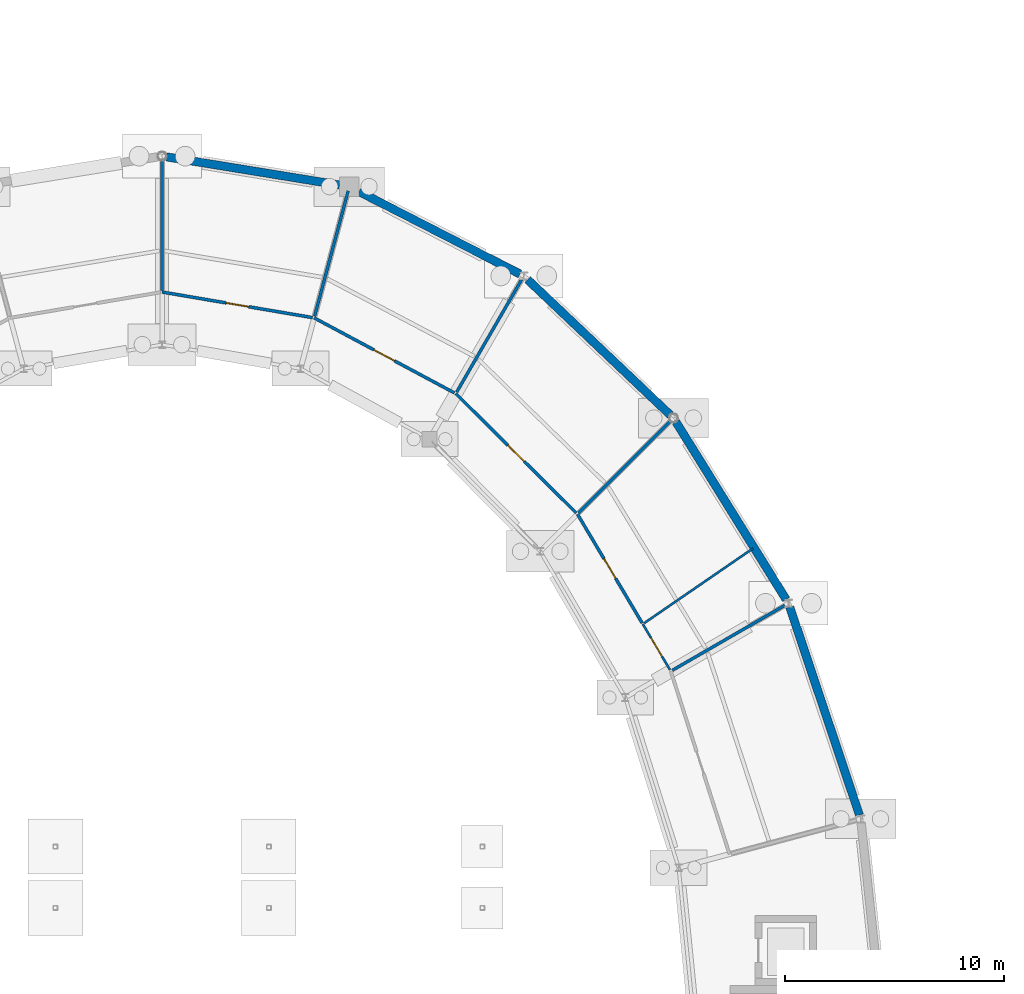
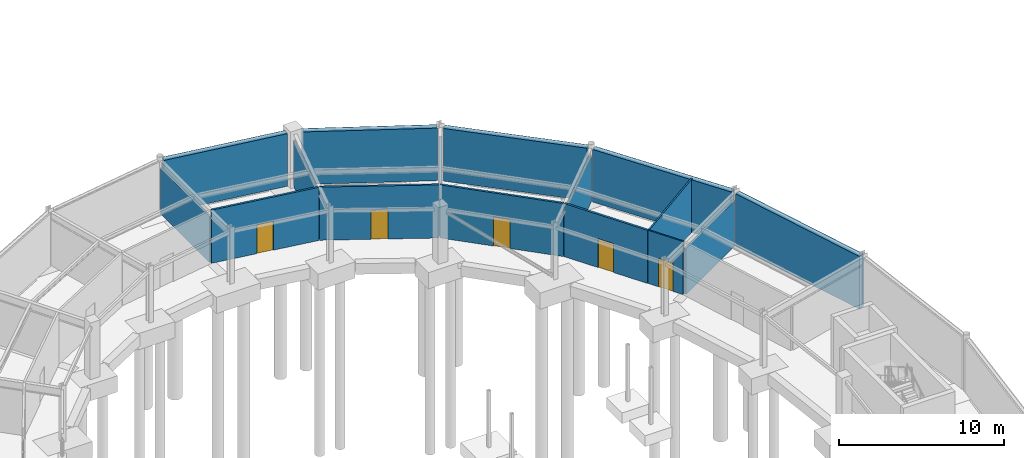
# One storey, part 47 of 58: 16 walls, 5 doors, 5 openings.
"""IFC4 building model written with IfcOpenShell, lengths in metres."""

from ifc_helpers import new_model, si_unit, direction, frame, frame_2d, origin, place, context, subcontext, project, spatial, rectangle, extrude, material, layer, layer_set, type_object, element, fill, save


model = new_model("IFC4")

# Units and contexts
model_context = context("Model", 3, precision=1e-05, world=origin(), true_north=direction((0.0, 1.0)))
body_context = subcontext(model_context, "Body", "Model", "MODEL_VIEW")
ifc_project = project(units=[si_unit("LENGTHUNIT", "METRE"), si_unit("AREAUNIT", "SQUARE_METRE"), si_unit("VOLUMEUNIT", "CUBIC_METRE"), si_unit("PLANEANGLEUNIT", "RADIAN"), si_unit("MASSUNIT", "GRAM", prefix="KILO")], contexts=[model_context])

# Site, building, storey
site_placement = place(None, origin())
site = spatial("IfcSite", under=ifc_project, at=site_placement, CompositionType="ELEMENT")
building_placement = place(site_placement, origin())
building = spatial("IfcBuilding", under=site, at=building_placement, Name="Karori Crest Natural Sciences Institute", CompositionType="ELEMENT")
storey_placement = place(building_placement, frame((0.0, 0.0, -4.199951171875)))
storey = spatial("IfcBuildingStorey", under=building, at=storey_placement, Name="B1", CompositionType="ELEMENT", Elevation=-4.199951171875)

# Wall
ifc_material_1 = material(Name="Laboratory acoustic drywall partition")
ifc_layer_1 = layer(ifc_material_1, 0.139892578125, Name="Laboratory acoustic drywall partition")
ifc_layer_set_1 = layer_set([ifc_layer_1], Name="Laboratory acoustic drywall partition")
wall_type_1 = type_object("IfcWallType", Name="IWT-07", PredefinedType="PARTITIONING", material=ifc_layer_set_1)
wall_1_placement = place(storey_placement, frame((89.6787109375, 67.239990234375, 0.0), z_axis=(0.0, 0.0, 1.0), x_axis=(0.866015384634, 0.500017353277, 0.0)))
element("IfcWall", 1, at=wall_1_placement, inside=storey, type_object=wall_type_1, Name="Partition wall IW-1147", PredefinedType="PARTITIONING", context=body_context, shape_type="SweptSolid", body=[
    extrude(rectangle(XDim=5.924072265625, YDim=0.139892578125, at=frame_2d((2.9619140625, 0.0))), origin(), (0.0, 0.0, 1.0), 3.391845703125),
])

# Wall, opening, door
wall_2_placement = place(storey_placement, frame((88.30517578125, 69.39453125, 0.0), z_axis=(0.0, 0.0, 1.0), x_axis=(-0.510896676259, 0.859642126811, 0.0)))
wall_2 = element("IfcWall", 2, at=wall_2_placement, inside=storey, type_object=wall_type_1, Name="Partition wall IW-1150", PredefinedType="PARTITIONING", context=body_context, shape_type="SweptSolid", body=[
    extrude(rectangle(XDim=5.783203125, YDim=0.139892578125, at=frame_2d((2.8916015625, 0.0))), origin(), (0.0, 0.0, 1.0), 3.93994140625),
])
opening_1_placement = place(wall_2_placement, frame((2.366455078125, 0.0, 0.0)))
opening_1 = element("IfcOpeningElement", 3, at=opening_1_placement, cuts=wall_2, Name="Opening ID-0339", PredefinedType="OPENING", context=body_context, shape_type="SweptSolid", body=[
    extrude(rectangle(XDim=1.050048828125, YDim=2.14990234375, at=frame_2d((0.52490234375, 1.074951171875))), frame((0.0, 0.080078125, 0.0), z_axis=(0.0, -1.0, 0.0), x_axis=(1.0, 0.0, 0.0)), (0.0, 0.0, 1.0), 0.159912109375),
])
ifc_material_2 = material(Name="Stainless steel 316 and fire-rated timber", Category="steel")
door_type_1 = type_object("IfcDoorType", Name="IDT-03", OperationType="NOTDEFINED", PredefinedType="DOOR", material=ifc_material_2)
door_1_placement = place(opening_1_placement, origin())
door_1 = element("IfcDoor", 4, at=door_1_placement, inside=storey, type_object=door_type_1, Name="Janitor and Consumables Store door ID-0339", OperationType="SINGLE_SWING_LEFT", OverallHeight=2.14990234375, OverallWidth=1.050048828125, PredefinedType="DOOR", context=body_context, shape_type="SweptSolid", body=[
    extrude(rectangle(XDim=1.050048828125, YDim=2.14990234375, at=frame_2d((0.52490234375, 1.074951171875))), frame((0.0, 0.02490234375, 0.0), z_axis=(0.0, -1.0, 0.0), x_axis=(1.0, 0.0, 0.0)), (0.0, 0.0, 1.0), 0.050048828125),
])
fill(opening_1, door_1)

# Wall
wall_3_placement = place(storey_placement, frame((85.406982421875, 74.422607421875, 0.0), z_axis=(0.0, 0.0, 1.0), x_axis=(0.707127390836, 0.707086170936, 0.0)))
element("IfcWall", 5, at=wall_3_placement, inside=storey, type_object=wall_type_1, Name="Partition wall IW-1151", PredefinedType="PARTITIONING", context=body_context, shape_type="SweptSolid", body=[
    extrude(rectangle(XDim=5.9228515625, YDim=0.139892578125, at=frame_2d((2.96142578125, 0.0))), origin(), (0.0, 0.0, 1.0), 3.391845703125),
])

# Wall, opening, door
wall_4_placement = place(storey_placement, frame((85.29931640625, 74.41650390625, 0.0), z_axis=(0.0, 0.0, 1.0), x_axis=(-0.710410596589, 0.703787456732, 0.0)))
wall_4 = element("IfcWall", 6, at=wall_4_placement, inside=storey, type_object=wall_type_1, Name="Partition wall IW-1152", PredefinedType="PARTITIONING", context=body_context, shape_type="SweptSolid", body=[
    extrude(rectangle(XDim=7.740966796875, YDim=0.139892578125, at=frame_2d((3.87060546875, 0.0))), origin(), (0.0, 0.0, 1.0), 3.93994140625),
])
opening_2_placement = place(wall_4_placement, frame((3.345458984375, 0.0, 0.0)))
opening_2 = element("IfcOpeningElement", 7, at=opening_2_placement, cuts=wall_4, Name="Opening ID-0340", PredefinedType="OPENING", context=body_context, shape_type="SweptSolid", body=[
    extrude(rectangle(XDim=1.050048828125, YDim=2.14990234375, at=frame_2d((0.52490234375, 1.074951171875))), frame((0.0, 0.080078125, 0.0), z_axis=(0.0, -1.0, 0.0), x_axis=(1.0, 0.0, 0.0)), (0.0, 0.0, 1.0), 0.159912109375),
])
door_2_placement = place(opening_2_placement, origin())
door_2 = element("IfcDoor", 8, at=door_2_placement, inside=storey, type_object=door_type_1, Name="Geological Core Specimen Archive door ID-0340", OperationType="SINGLE_SWING_RIGHT", OverallHeight=2.14990234375, OverallWidth=1.050048828125, PredefinedType="DOOR", context=body_context, shape_type="SweptSolid", body=[
    extrude(rectangle(XDim=1.050048828125, YDim=2.14990234375, at=frame_2d((0.52490234375, 1.074951171875))), frame((0.0, 0.02490234375, 0.0), z_axis=(0.0, -1.0, 0.0), x_axis=(1.0, 0.0, 0.0)), (0.0, 0.0, 1.0), 0.050048828125),
])
fill(opening_2, door_2)

# Wall
wall_5_placement = place(storey_placement, frame((79.840087890625, 79.933837890625, 0.0), z_axis=(0.0, 0.0, 1.0), x_axis=(0.500000789788, 0.8660249478, 0.0)))
element("IfcWall", 9, at=wall_5_placement, inside=storey, type_object=wall_type_1, Name="Partition wall IW-1153", PredefinedType="PARTITIONING", context=body_context, shape_type="SweptSolid", body=[
    extrude(rectangle(XDim=5.92236328125, YDim=0.139892578125, at=frame_2d((2.961181640625, 0.0))), origin(), (0.0, 0.0, 1.0), 3.31298828125),
])

# Wall, opening, door
wall_6_placement = place(storey_placement, frame((79.736572265625, 79.8984375, 0.0), z_axis=(0.0, 0.0, 1.0), x_axis=(-0.881826283139, 0.471574391125, 0.0)))
wall_6 = element("IfcWall", 10, at=wall_6_placement, inside=storey, type_object=wall_type_1, Name="Partition wall IW-1154", PredefinedType="PARTITIONING", context=body_context, shape_type="SweptSolid", body=[
    extrude(rectangle(XDim=7.2578125, YDim=0.139892578125, at=frame_2d((3.62890625, 0.0))), origin(), (0.0, 0.0, 1.0), 3.93994140625),
])
opening_3_placement = place(wall_6_placement, frame((3.10400390625, 0.0, 0.0)))
opening_3 = element("IfcOpeningElement", 11, at=opening_3_placement, cuts=wall_6, Name="Opening ID-0341", PredefinedType="OPENING", context=body_context, shape_type="SweptSolid", body=[
    extrude(rectangle(XDim=1.050048828125, YDim=2.14990234375, at=frame_2d((0.52490234375, 1.074951171875))), frame((0.0, 0.080078125, 0.0), z_axis=(0.0, -1.0, 0.0), x_axis=(1.0, 0.0, 0.0)), (0.0, 0.0, 1.0), 0.159912109375),
])
door_3_placement = place(opening_3_placement, origin())
door_3 = element("IfcDoor", 12, at=door_3_placement, inside=storey, type_object=door_type_1, Name="Specimen Cold Store door ID-0341", OperationType="SINGLE_SWING_LEFT", OverallHeight=2.14990234375, OverallWidth=1.050048828125, PredefinedType="DOOR", context=body_context, shape_type="SweptSolid", body=[
    extrude(rectangle(XDim=1.050048828125, YDim=2.14990234375, at=frame_2d((0.52490234375, 1.074951171875))), frame((0.0, 0.02490234375, 0.0), z_axis=(0.0, -1.0, 0.0), x_axis=(1.0, 0.0, 0.0)), (0.0, 0.0, 1.0), 0.050048828125),
])
fill(opening_3, door_3)

# Wall
wall_7_placement = place(storey_placement, frame((73.357177734375, 83.398193359375, 0.0), z_axis=(0.0, 0.0, 1.0), x_axis=(0.25878346705, 0.965935358697, 0.0)))
element("IfcWall", 13, at=wall_7_placement, inside=storey, type_object=wall_type_1, Name="Partition wall IW-1155", PredefinedType="PARTITIONING", context=body_context, shape_type="SweptSolid", body=[
    extrude(rectangle(XDim=5.923828125, YDim=0.139892578125, at=frame_2d((2.9619140625, 0.0))), origin(), (0.0, 0.0, 1.0), 3.322998046875),
])

# Wall, opening, door
wall_8_placement = place(storey_placement, frame((73.26513671875, 83.3330078125, 0.0), z_axis=(0.0, 0.0, 1.0), x_axis=(-0.985858163623, 0.167581864229, 0.0)))
wall_8 = element("IfcWall", 14, at=wall_8_placement, inside=storey, type_object=wall_type_1, Name="Partition wall IW-1156", PredefinedType="PARTITIONING", context=body_context, shape_type="SweptSolid", body=[
    extrude(rectangle(XDim=6.963623046875, YDim=0.139892578125, at=frame_2d((3.48193359375, 0.0))), origin(), (0.0, 0.0, 1.0), 3.93994140625),
])
opening_4_placement = place(wall_8_placement, frame((2.956787109375, 0.0, 0.0)))
opening_4 = element("IfcOpeningElement", 15, at=opening_4_placement, cuts=wall_8, Name="Opening ID-0342", PredefinedType="OPENING", context=body_context, shape_type="SweptSolid", body=[
    extrude(rectangle(XDim=1.050048828125, YDim=2.14990234375, at=frame_2d((0.52490234375, 1.074951171875))), frame((0.0, 0.080078125, 0.0), z_axis=(0.0, -1.0, 0.0), x_axis=(1.0, 0.0, 0.0)), (0.0, 0.0, 1.0), 0.159912109375),
])
door_4_placement = place(opening_4_placement, origin())
door_4 = element("IfcDoor", 16, at=door_4_placement, inside=storey, type_object=door_type_1, Name="Laboratory Exhaust and Vacuum Plant Room door ID-0342", OperationType="SINGLE_SWING_RIGHT", OverallHeight=2.14990234375, OverallWidth=1.050048828125, PredefinedType="DOOR", context=body_context, shape_type="SweptSolid", body=[
    extrude(rectangle(XDim=1.050048828125, YDim=2.14990234375, at=frame_2d((0.52490234375, 1.074951171875))), frame((0.0, 0.02490234375, 0.0), z_axis=(0.0, -1.0, 0.0), x_axis=(1.0, 0.0, 0.0)), (0.0, 0.0, 1.0), 0.050048828125),
])
fill(opening_4, door_4)

# Wall
wall_9_placement = place(storey_placement, frame((66.39990234375, 84.580078125, 0.0), z_axis=(0.0, 0.0, 1.0), x_axis=(0.0, 1.0, 0.0)))
element("IfcWall", 17, at=wall_9_placement, inside=storey, type_object=wall_type_1, Name="Partition wall IW-1157", PredefinedType="PARTITIONING", context=body_context, shape_type="SweptSolid", body=[
    extrude(rectangle(XDim=5.925537109375, YDim=0.139892578125, at=frame_2d((2.962890625, 0.0))), origin(), (0.0, 0.0, 1.0), 3.391845703125),
])

# Wall, opening, door
ifc_material_3 = material(Name="Washroom moisture-resistant partition")
ifc_layer_2 = layer(ifc_material_3, 0.10009765625, Name="Washroom moisture-resistant partition")
ifc_layer_set_2 = layer_set([ifc_layer_2], Name="Washroom moisture-resistant partition")
wall_type_2 = type_object("IfcWallType", Name="IWT-09", PredefinedType="PARTITIONING", material=ifc_layer_set_2)
wall_10_placement = place(storey_placement, frame((89.57275390625, 67.261962890625, 0.0), z_axis=(0.0, 0.0, 1.0), x_axis=(-0.510928867953, 0.859622994046, 0.0)))
wall_10 = element("IfcWall", 18, at=wall_10_placement, inside=storey, type_object=wall_type_2, Name="Partition wall IW-1148", PredefinedType="PARTITIONING", context=body_context, shape_type="SweptSolid", body=[
    extrude(rectangle(XDim=2.428955078125, YDim=0.10009765625, at=frame_2d((1.21435546875, 0.0))), origin(), (0.0, 0.0, 1.0), 3.93994140625),
])
opening_5_placement = place(wall_10_placement, frame((0.71435546875, 0.0, 0.0)))
opening_5 = element("IfcOpeningElement", 19, at=opening_5_placement, cuts=wall_10, Name="Opening ID-0338", PredefinedType="OPENING", context=body_context, shape_type="SweptSolid", body=[
    extrude(rectangle(XDim=1.0, YDim=2.10009765625, at=frame_2d((0.5, 1.050048828125))), frame((0.0, 0.06005859375, 0.0), z_axis=(0.0, -1.0, 0.0), x_axis=(1.0, 0.0, 0.0)), (0.0, 0.0, 1.0), 0.1201171875),
])
ifc_material_4 = material(Name="Anodised aluminium and acoustic timber", Category="wood")
door_type_2 = type_object("IfcDoorType", Name="IDT-09", OperationType="NOTDEFINED", PredefinedType="DOOR", material=ifc_material_4)
door_5_placement = place(opening_5_placement, origin())
door_5 = element("IfcDoor", 20, at=door_5_placement, inside=storey, type_object=door_type_2, Name="Accessible WC door ID-0338", OperationType="SINGLE_SWING_RIGHT", OverallHeight=2.10009765625, OverallWidth=1.0, PredefinedType="DOOR", context=body_context, shape_type="SweptSolid", body=[
    extrude(rectangle(XDim=1.0, YDim=2.10009765625, at=frame_2d((0.5, 1.050048828125))), frame((0.0, 0.02490234375, 0.0), z_axis=(0.0, -1.0, 0.0), x_axis=(1.0, 0.0, 0.0)), (0.0, 0.0, 1.0), 0.050048828125),
])
fill(opening_5, door_5)

# Walls
wall_11_placement = place(storey_placement, frame((88.397705078125, 69.39501953125, 0.0), z_axis=(0.0, 0.0, 1.0), x_axis=(0.824271584206, 0.566194626847, 0.0)))
element("IfcWall", 21, at=wall_11_placement, inside=storey, type_object=wall_type_2, Name="Partition wall IW-1149", PredefinedType="PARTITIONING", context=body_context, shape_type="SweptSolid", body=[
    extrude(rectangle(XDim=6.015625, YDim=0.10009765625, at=frame_2d((3.0078125, 0.0))), origin(), (0.0, 0.0, 1.0), 3.93994140625),
])
ifc_material_5 = material(Name="Concrete 40 MPa", Category="concrete")
ifc_layer_3 = layer(ifc_material_5, 0.3798828125, Name="Concrete 40 MPa")
ifc_layer_set_3 = layer_set([ifc_layer_3], Name="Concrete 40 MPa")
wall_type_3 = type_object("IfcWallType", Name="WT-08", PredefinedType="USERDEFINED", material=ifc_layer_set_3)
wall_12_placement = place(storey_placement, frame((95.036865234375, 70.126953125, 0.0), z_axis=(0.0, 0.0, 1.0), x_axis=(0.31766112258, -0.948204308787, 0.0)))
element("IfcWall", 22, at=wall_12_placement, inside=storey, type_object=wall_type_3, Name="Exterior wall EW-0007", ObjectType="RETAININGWALL", PredefinedType="USERDEFINED", context=body_context, shape_type="SweptSolid", body=[
    extrude(rectangle(XDim=10.0126953125, YDim=0.3798828125, at=frame_2d((5.00634765625, 0.0))), origin(), (0.0, 0.0, 1.0), 3.89990234375),
])
wall_13_placement = place(storey_placement, frame((89.840576171875, 78.5791015625, 0.0), z_axis=(0.0, 0.0, 1.0), x_axis=(0.527316356641, -0.849669029693, 0.0)))
element("IfcWall", 23, at=wall_13_placement, inside=storey, type_object=wall_type_3, Name="Exterior wall EW-0008", ObjectType="RETAININGWALL", PredefinedType="USERDEFINED", context=body_context, shape_type="SweptSolid", body=[
    extrude(rectangle(XDim=9.539794921875, YDim=0.3798828125, at=frame_2d((4.77001953125, 0.0))), origin(), (0.0, 0.0, 1.0), 3.89990234375),
])
wall_14_placement = place(storey_placement, frame((83.073486328125, 85.069091796875, 0.0), z_axis=(0.0, 0.0, 1.0), x_axis=(0.725471007772, -0.688252727479, 0.0)))
element("IfcWall", 24, at=wall_14_placement, inside=storey, type_object=wall_type_3, Name="Exterior wall EW-0009", ObjectType="RETAININGWALL", PredefinedType="USERDEFINED", context=body_context, shape_type="SweptSolid", body=[
    extrude(rectangle(XDim=8.980224609375, YDim=0.3798828125, at=frame_2d((4.490234375, 0.0))), origin(), (0.0, 0.0, 1.0), 3.89990234375),
])
wall_15_placement = place(storey_placement, frame((75.38916015625, 89.080078125, 0.0), z_axis=(0.0, 0.0, 1.0), x_axis=(0.890079703942, -0.455804915101, 0.0)))
element("IfcWall", 25, at=wall_15_placement, inside=storey, type_object=wall_type_3, Name="Exterior wall EW-0010", ObjectType="RETAININGWALL", PredefinedType="USERDEFINED", context=body_context, shape_type="SweptSolid", body=[
    extrude(rectangle(XDim=8.243896484375, YDim=0.3798828125, at=frame_2d((4.1220703125, 0.0))), origin(), (0.0, 0.0, 1.0), 3.89990234375),
])
wall_16_placement = place(storey_placement, frame((66.5986328125, 90.667724609375, 0.0), z_axis=(0.0, 0.0, 1.0), x_axis=(0.987011322402, -0.160650706349, 0.0)))
element("IfcWall", 26, at=wall_16_placement, inside=storey, type_object=wall_type_3, Name="Exterior wall EW-0011", ObjectType="RETAININGWALL", PredefinedType="USERDEFINED", context=body_context, shape_type="SweptSolid", body=[
    extrude(rectangle(XDim=7.998291015625, YDim=0.3798828125, at=frame_2d((3.9990234375, 0.0))), origin(), (0.0, 0.0, 1.0), 3.89990234375),
])

save(model, "model.ifc")
